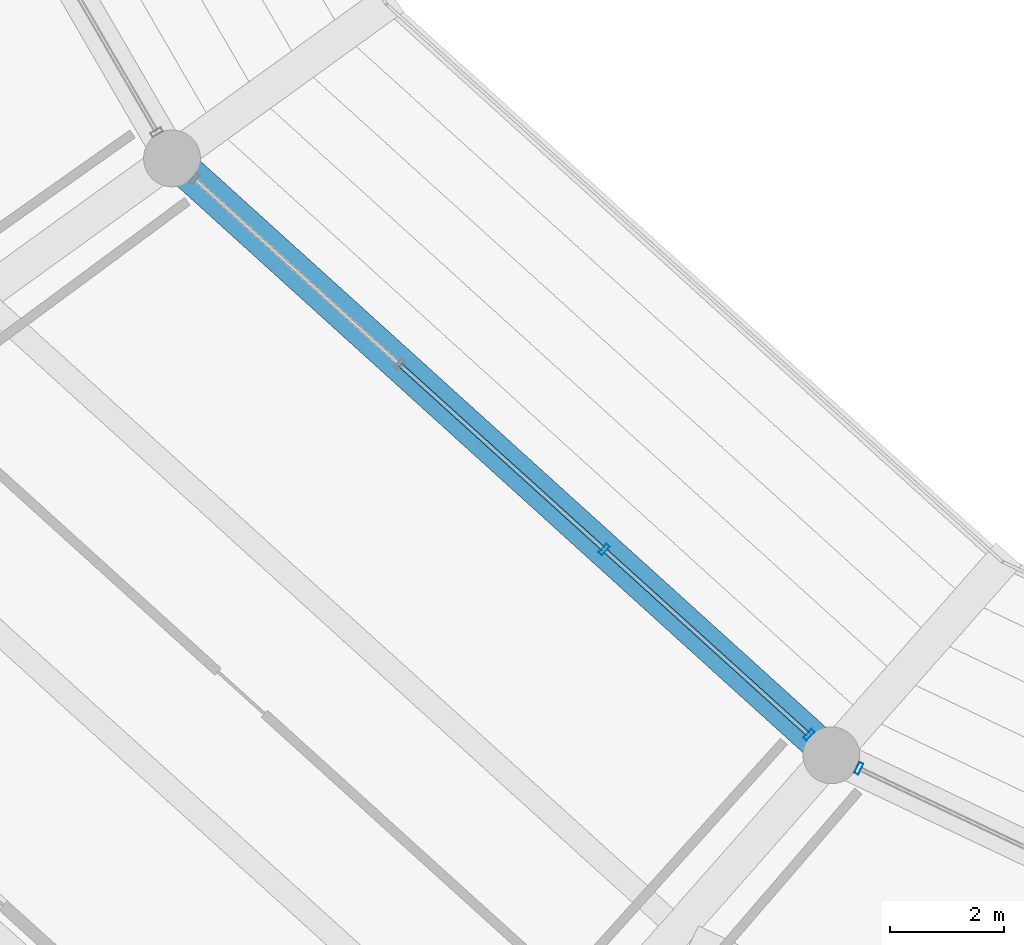
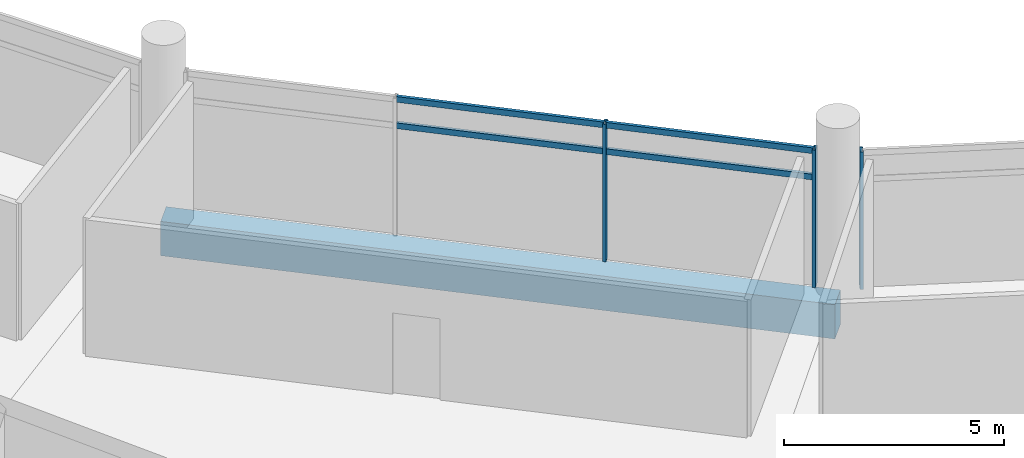
# One storey, part 10 of 171: 7 members, 1 beam, 2 elements without a shape of their own.
"""IFC4 building model written with IfcOpenShell, lengths in metres."""

from ifc_helpers import new_model, si_unit, direction, frame, origin, origin_2d, place, context, subcontext, project, spatial, rectangle, hollow_rectangle, extrude, material, layer, layer_set, material_profile, profile_set, type_object, element, aggregate, save


model = new_model("IFC4")

# Units and contexts
model_context = context("Model", 3, precision=1e-05, world=origin(), true_north=direction((0.0, 1.0)))
body_context = subcontext(model_context, "Body", "Model", "MODEL_VIEW")
ifc_project = project(units=[si_unit("LENGTHUNIT", "METRE"), si_unit("AREAUNIT", "SQUARE_METRE"), si_unit("VOLUMEUNIT", "CUBIC_METRE"), si_unit("PLANEANGLEUNIT", "RADIAN"), si_unit("MASSUNIT", "GRAM", prefix="KILO")], contexts=[model_context])

# Site, building, storey
site_placement = place(None, origin())
site = spatial("IfcSite", under=ifc_project, at=site_placement, CompositionType="ELEMENT")
building_placement = place(site_placement, origin())
building = spatial("IfcBuilding", under=site, at=building_placement, Name="Kazemori Nagisa Stadium", CompositionType="ELEMENT")
storey_placement = place(building_placement, frame((0.0, 0.0, 15.639892578125)))
storey = spatial("IfcBuildingStorey", under=building, at=storey_placement, Name="L03", CompositionType="ELEMENT", Elevation=15.639892578125)

# Beam
ifc_material_1 = material(Name="Concrete C40/50 (Fc42)", Category="concrete")
ifc_material_profile_1 = material_profile(ifc_material_1, rectangle(XDim=0.60009765625, YDim=0.949951171875, at=origin_2d()), Name="RC-BM-600x950")
ifc_profile_set_1 = profile_set([ifc_material_profile_1], Name="Concrete C40/50 (Fc42)")
beam_type = type_object("IfcBeamType", Name="Beam_BG-RC600X950", PredefinedType="BEAM", material=ifc_profile_set_1)
beam_placement = place(storey_placement, frame((65.698486328125, 60.632568359375, -0.73486328125), z_axis=(0.741349160152, -0.6711195294, 0.0), x_axis=(0.6711195294, 0.741349160152, 0.0)))
element("IfcBeam", 1, at=beam_placement, inside=storey, type_object=beam_type, Name="Ring girder BG-RC600X950 L03 R1-18", PredefinedType="BEAM", context=body_context, shape_type="SweptSolid", body=[
    extrude(rectangle(XDim=0.60009765625, YDim=0.949951171875, at=origin_2d()), origin(), (0.0, 0.0, 1.0), 15.65380859375),
])

# Curtain wall, members
ifc_material_2 = material(Name="Anodised aluminium 6063-T5", Category="aluminium")
ifc_layer_1 = layer(ifc_material_2, 0.2099609375, Name="Anodised aluminium 6063-T5", Category="aluminium")
ifc_layer_set_1 = layer_set([ifc_layer_1], Name="Anodised aluminium 6063-T5")
curtain_wall_type_1 = type_object("IfcCurtainWallType", Name="CW_L03B_73", PredefinedType="USERDEFINED", material=ifc_layer_set_1)
curtain_wall_1_placement = place(storey_placement, origin())
curtain_wall_1 = element("IfcCurtainWall", 2, at=curtain_wall_1_placement, inside=storey, type_object=curtain_wall_type_1, Name="Unitised curtain wall CW-L03B-73 L03", ObjectType="UNITISED CURTAIN WALL", PredefinedType="USERDEFINED")
ifc_material_3 = material(Name="Aluminium 6063-T5 anodised", Category="aluminium")
ifc_material_profile_2 = material_profile(ifc_material_3, hollow_rectangle(XDim=0.080078125, YDim=0.2099609375, WallThickness=0.0048828125, at=origin_2d()), Name="ALU-MULL-80x210x5")
ifc_profile_set_2 = profile_set([ifc_material_profile_2], Name="Aluminium 6063-T5 anodised")
member_type_1 = type_object("IfcMemberType", Name="Mullion_M02", PredefinedType="MULLION", material=ifc_profile_set_2)
member_1_placement = place(storey_placement, frame((73.302978515625, 53.74853515625, 0.0), z_axis=(0.0, 0.0, 1.0), x_axis=(0.741350875443, -0.671117634607, 0.0)))
member_1 = element("IfcMember", 3, at=member_1_placement, type_object=member_type_1, Name="Curtain wall mullion CW-L03B-73-M3", PredefinedType="MULLION", context=body_context, shape_type="SweptSolid", body=[
    extrude(hollow_rectangle(XDim=0.080078125, YDim=0.2099609375, WallThickness=0.0048828125, at=origin_2d()), origin(), (0.0, 0.0, 1.0), 3.81005859375),
])
member_2_placement = place(storey_placement, frame((76.90673828125, 50.486083984375, 0.0), z_axis=(0.0, 0.0, 1.0), x_axis=(0.741350875443, -0.671117634607, 0.0)))
member_2 = element("IfcMember", 4, at=member_2_placement, type_object=member_type_1, Name="Curtain wall mullion CW-L03B-73-M4", PredefinedType="MULLION", context=body_context, shape_type="SweptSolid", body=[
    extrude(hollow_rectangle(XDim=0.080078125, YDim=0.2099609375, WallThickness=0.0048828125, at=origin_2d()), origin(), (0.0, 0.0, 1.0), 3.81005859375),
])

# Curtain wall, member
ifc_layer_2 = layer(ifc_material_2, 0.2099609375, Name="Anodised aluminium 6063-T5", Category="aluminium")
ifc_layer_set_2 = layer_set([ifc_layer_2], Name="Anodised aluminium 6063-T5")
curtain_wall_type_2 = type_object("IfcCurtainWallType", Name="CW_L03B_75", PredefinedType="USERDEFINED", material=ifc_layer_set_2)
curtain_wall_2_placement = place(storey_placement, origin())
curtain_wall_2 = element("IfcCurtainWall", 5, at=curtain_wall_2_placement, inside=storey, type_object=curtain_wall_type_2, Name="Unitised curtain wall CW-L03B-75 L03", ObjectType="UNITISED CURTAIN WALL", PredefinedType="USERDEFINED")
member_3_placement = place(storey_placement, frame((77.78662109375, 49.897216796875, 0.0), z_axis=(0.0, 0.0, 1.0), x_axis=(0.903215892654, -0.429186499388, 0.0)))
member_3 = element("IfcMember", 6, at=member_3_placement, type_object=member_type_1, Name="Curtain wall mullion CW-L03B-75-M1", PredefinedType="MULLION", context=body_context, shape_type="SweptSolid", body=[
    extrude(hollow_rectangle(XDim=0.080078125, YDim=0.2099609375, WallThickness=0.0048828125, at=origin_2d()), origin(), (0.0, 0.0, 1.0), 3.81005859375),
])
aggregate(curtain_wall_2, [member_3])

# Member
ifc_material_profile_3 = material_profile(ifc_material_3, hollow_rectangle(XDim=0.080078125, YDim=0.159912109375, WallThickness=0.00390625, at=origin_2d()), Name="ALU-TRAN-80x160x4")
ifc_profile_set_3 = profile_set([ifc_material_profile_3], Name="Aluminium 6063-T5 anodised")
member_type_2 = type_object("IfcMemberType", Name="Transom_T02", PredefinedType="USERDEFINED", material=ifc_profile_set_3)
member_4_placement = place(storey_placement, frame((69.7138671875, 56.99755859375, 3.010009765625), z_axis=(0.741352201466, -0.671116169811, 0.0), x_axis=(0.671116169811, 0.741352201466, 0.0)))
member_4 = element("IfcMember", 7, at=member_4_placement, type_object=member_type_2, Name="Curtain wall transom CW-L03B-73-T2-mid", ObjectType="TRANSOM", PredefinedType="USERDEFINED", context=body_context, shape_type="SweptSolid", body=[
    extrude(hollow_rectangle(XDim=0.080078125, YDim=0.159912109375, WallThickness=0.00390625, at=origin_2d()), origin(), (0.0, 0.0, 1.0), 4.8212890625),
])

member_5_placement = place(storey_placement, frame((69.7138671875, 56.99755859375, 3.739990234375), z_axis=(0.741352201466, -0.671116169811, 0.0), x_axis=(0.671116169811, 0.741352201466, 0.0)))
member_5 = element("IfcMember", 8, at=member_5_placement, type_object=member_type_2, Name="Curtain wall transom CW-L03B-73-T2-head", ObjectType="TRANSOM", PredefinedType="USERDEFINED", context=body_context, shape_type="SweptSolid", body=[
    extrude(hollow_rectangle(XDim=0.080078125, YDim=0.159912109375, WallThickness=0.00390625, at=origin_2d()), origin(), (0.0, 0.0, 1.0), 4.8212890625),
])

member_6_placement = place(storey_placement, frame((73.317626953125, 53.735107421875, 3.010009765625), z_axis=(0.741375007746, -0.671090975866, 0.0), x_axis=(0.671090975866, 0.741375007746, 0.0)))
member_6 = element("IfcMember", 9, at=member_6_placement, type_object=member_type_2, Name="Curtain wall transom CW-L03B-73-T3-mid", ObjectType="TRANSOM", PredefinedType="USERDEFINED", context=body_context, shape_type="SweptSolid", body=[
    extrude(hollow_rectangle(XDim=0.080078125, YDim=0.159912109375, WallThickness=0.00390625, at=origin_2d()), origin(), (0.0, 0.0, 1.0), 4.8212890625),
])

member_7_placement = place(storey_placement, frame((73.317626953125, 53.735107421875, 3.739990234375), z_axis=(0.741375007746, -0.671090975866, 0.0), x_axis=(0.671090975866, 0.741375007746, 0.0)))
member_7 = element("IfcMember", 10, at=member_7_placement, type_object=member_type_2, Name="Curtain wall transom CW-L03B-73-T3-head", ObjectType="TRANSOM", PredefinedType="USERDEFINED", context=body_context, shape_type="SweptSolid", body=[
    extrude(hollow_rectangle(XDim=0.080078125, YDim=0.159912109375, WallThickness=0.00390625, at=origin_2d()), origin(), (0.0, 0.0, 1.0), 4.8212890625),
])

aggregate(curtain_wall_1, [member_1, member_2, member_4, member_5, member_6, member_7])

save(model, "model.ifc")
